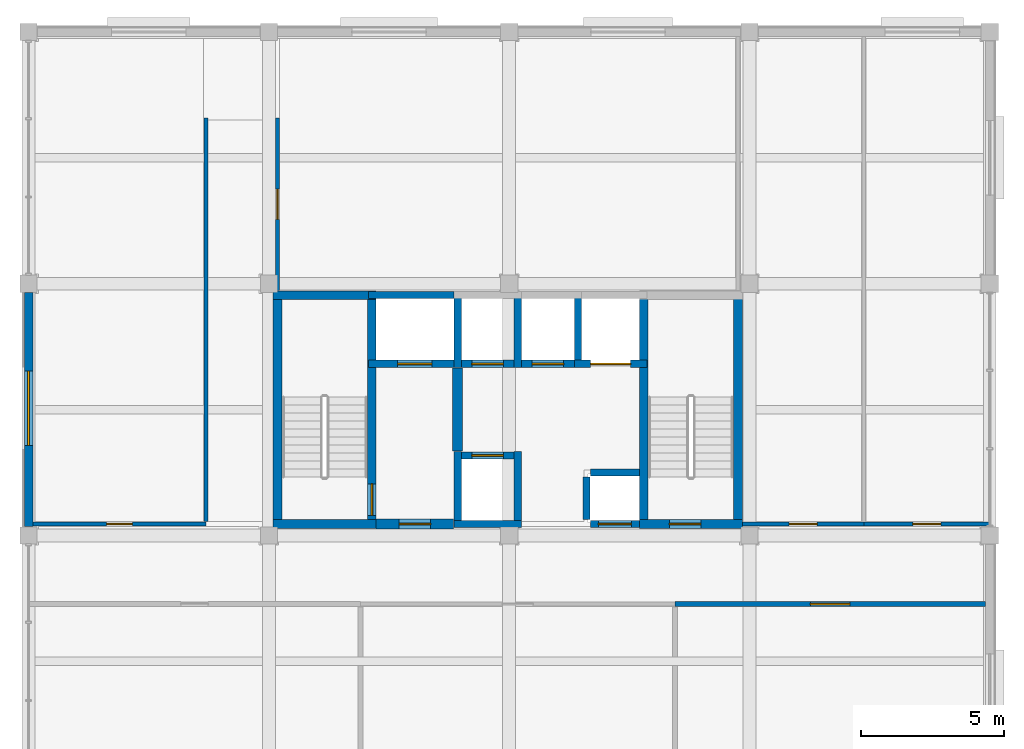
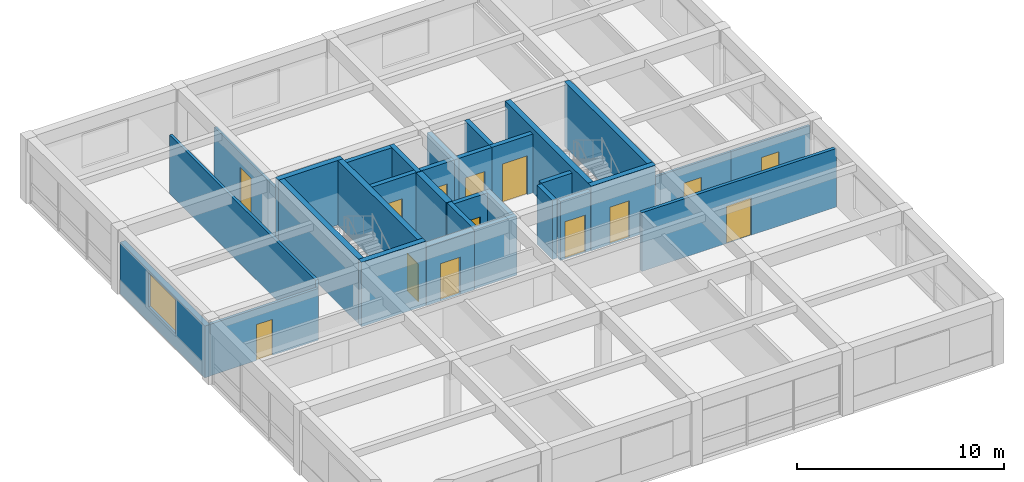
# One storey, part 7 of 12: 31 walls, 14 doors, 1 window, 15 openings.
"""IFC4 building model written with IfcOpenShell, lengths in metres."""

from ifc_helpers import new_model, si_unit, direction, frame, frame_2d, origin, place, context, subcontext, project, spatial, rectangle, extrude, material, layer, layer_set, type_object, element, fill, save


model = new_model("IFC4")

# Units and contexts
model_context = context("Model", 3, precision=1e-05, world=origin(), true_north=direction((0.0, 1.0)))
body_context = subcontext(model_context, "Body", "Model", "MODEL_VIEW")
ifc_project = project(units=[si_unit("LENGTHUNIT", "METRE"), si_unit("AREAUNIT", "SQUARE_METRE"), si_unit("VOLUMEUNIT", "CUBIC_METRE"), si_unit("PLANEANGLEUNIT", "RADIAN"), si_unit("MASSUNIT", "GRAM", prefix="KILO")], contexts=[model_context])

# Site, building, storey
site_placement = place(None, origin())
site = spatial("IfcSite", under=ifc_project, at=site_placement, CompositionType="ELEMENT")
building_placement = place(site_placement, origin())
building = spatial("IfcBuilding", under=site, at=building_placement, Name="Kemercrest Conservatory and Botanical Centre", CompositionType="ELEMENT")
storey_placement = place(building_placement, frame((0.0, 0.0, 56.0)))
storey = spatial("IfcBuildingStorey", under=building, at=storey_placement, Name="L14", CompositionType="ELEMENT", Elevation=56.0)

# Wall
ifc_material_1 = material(Name="Concrete C50/60", Category="concrete")
ifc_layer_1 = layer(ifc_material_1, 0.35009765625)
ifc_layer_set_1 = layer_set([ifc_layer_1], Name="Concrete C50/60")
wall_type_1 = type_object("IfcWallType", Name="CW-CORE", PredefinedType="SHEAR", material=ifc_layer_set_1)
wall_1_placement = place(storey_placement, frame((157.39990234375, 107.75, 0.0), z_axis=(0.0, 0.0, 1.0), x_axis=(0.0, 1.0, 0.0)))
element("IfcWall", 1, at=wall_1_placement, inside=storey, type_object=wall_type_1, Name="Firefighting lift lobby 2-hour separation shear wall", PredefinedType="SHEAR", context=body_context, shape_type="SweptSolid", body=[
    extrude(rectangle(XDim=2.89990234375, YDim=0.35009765625, at=frame_2d((1.449951171875, 0.0))), origin(), (0.0, 0.0, 1.0), 3.47998046875),
])

# Wall, opening, door
wall_2_placement = place(storey_placement, frame((154.550048828125, 105.199951171875, 0.0), z_axis=(0.0, 0.0, 1.0), x_axis=(1.0, 0.0, 0.0)))
wall_2 = element("IfcWall", 2, at=wall_2_placement, inside=storey, type_object=wall_type_1, Name="Firefighting lift lobby south shear wall", PredefinedType="SHEAR", context=body_context, shape_type="SweptSolid", body=[
    extrude(rectangle(XDim=2.699951171875, YDim=0.35009765625, at=frame_2d((1.35009765625, 0.0))), origin(), (0.0, 0.0, 1.0), 3.47998046875),
])
opening_1_placement = place(wall_2_placement, frame((0.800048828125, 0.0, 0.0)))
opening_1 = element("IfcOpeningElement", 3, at=opening_1_placement, cuts=wall_2, Name="Opening D099", PredefinedType="OPENING", context=body_context, shape_type="SweptSolid", body=[
    extrude(rectangle(XDim=1.10009765625, YDim=2.199951171875, at=frame_2d((0.550048828125, 1.10009765625))), frame((0.0, 0.18505859375, 0.0), z_axis=(0.0, -1.0, 0.0), x_axis=(1.0, 0.0, 0.0)), (0.0, 0.0, 1.0), 0.3701171875),
])
ifc_material_2 = material(Name="Powder-coated galvanized steel and fire-rated vision glass", Category="steel")
door_type_1 = type_object("IfcDoorType", Name="DT-FD90", OperationType="NOTDEFINED", PredefinedType="DOOR", material=ifc_material_2)
door_1_placement = place(opening_1_placement, origin())
door_1 = element("IfcDoor", 4, at=door_1_placement, inside=storey, type_object=door_type_1, Name="Firefighting lift lobby corridor fire door D099", OperationType="SINGLE_SWING_LEFT", OverallHeight=2.199951171875, OverallWidth=1.10009765625, PredefinedType="DOOR", context=body_context, shape_type="SweptSolid", body=[
    extrude(rectangle(XDim=1.10009765625, YDim=2.199951171875, at=frame_2d((0.550048828125, 1.10009765625))), frame((0.0, 0.02490234375, 0.0), z_axis=(0.0, -1.0, 0.0), x_axis=(1.0, 0.0, 0.0)), (0.0, 0.0, 1.0), 0.050048828125),
])
fill(opening_1, door_1)

# Walls
ifc_layer_2 = layer(ifc_material_1, 0.300048828125)
ifc_layer_set_2 = layer_set([ifc_layer_2], Name="Concrete C50/60")
wall_type_2 = type_object("IfcWallType", Name="CW-STAIR", PredefinedType="SHEAR", material=ifc_layer_set_2)
for number, where, z_axis, x_axis, name in (
    (5, (150.949951171875, 105.199951171875, 0.0), (0.0, 0.0, 1.0), (1.0, 0.0, 0.0), "Stair core ST-V4A shear wall S"),
    (6, (150.949951171875, 113.199951171875, 0.0), (0.0, 0.0, 1.0), (1.0, 0.0, 0.0), "Stair core ST-V4A shear wall N"),
):
    element("IfcWall", number, at=place(storey_placement, frame(where, z_axis=z_axis, x_axis=x_axis)), inside=storey, type_object=wall_type_2, Name=name, PredefinedType="SHEAR", context=body_context, shape_type="SweptSolid", body=[
        extrude(rectangle(XDim=3.60009765625, YDim=0.300048828125, at=frame_2d((1.800048828125, 0.0))), origin(), (0.0, 0.0, 1.0), 3.800048828125),
    ])
wall_3_placement = place(storey_placement, frame((151.10009765625, 105.050048828125, 0.0), z_axis=(0.0, 0.0, 1.0), x_axis=(0.0, 1.0, 0.0)))
element("IfcWall", 7, at=wall_3_placement, inside=storey, type_object=wall_type_2, Name="Stair core ST-V4A shear wall W", PredefinedType="SHEAR", context=body_context, shape_type="SweptSolid", body=[
    extrude(rectangle(XDim=8.300048828125, YDim=0.300048828125, at=frame_2d((4.14990234375, 0.0))), origin(), (0.0, 0.0, 1.0), 3.800048828125),
])

# Wall, opening, door
wall_4_placement = place(storey_placement, frame((154.39990234375, 105.050048828125, 0.0), z_axis=(0.0, 0.0, 1.0), x_axis=(0.0, 1.0, 0.0)))
wall_4 = element("IfcWall", 8, at=wall_4_placement, inside=storey, type_object=wall_type_2, Name="Stair core ST-V4A shear wall E", PredefinedType="SHEAR", context=body_context, shape_type="SweptSolid", body=[
    extrude(rectangle(XDim=8.300048828125, YDim=0.300048828125, at=frame_2d((4.14990234375, 0.0))), origin(), (0.0, 0.0, 1.0), 3.800048828125),
])
opening_2_placement = place(wall_4_placement, frame((0.449951171875, 0.0, 0.0)))
opening_2 = element("IfcOpeningElement", 9, at=opening_2_placement, cuts=wall_4, Name="Opening D040", PredefinedType="OPENING", context=body_context, shape_type="SweptSolid", body=[
    extrude(rectangle(XDim=1.10009765625, YDim=2.199951171875, at=frame_2d((0.550048828125, 1.10009765625))), frame((0.0, 0.16015625, 0.0), z_axis=(0.0, -1.0, 0.0), x_axis=(1.0, 0.0, 0.0)), (0.0, 0.0, 1.0), 0.320068359375),
])
door_2_placement = place(opening_2_placement, frame((1.10009765625, 0.0, 0.0), z_axis=(0.0, 0.0, 1.0), x_axis=(-1.0, 0.0, 0.0)))
door_2 = element("IfcDoor", 10, at=door_2_placement, inside=storey, type_object=door_type_1, Name="Exit stair ST-V4A fire door D040", OperationType="SINGLE_SWING_RIGHT", OverallHeight=2.199951171875, OverallWidth=1.10009765625, PredefinedType="DOOR", context=body_context, shape_type="SweptSolid", body=[
    extrude(rectangle(XDim=1.10009765625, YDim=2.199951171875, at=frame_2d((0.550048828125, 1.10009765625))), frame((0.0, 0.02490234375, 0.0), z_axis=(0.0, -1.0, 0.0), x_axis=(1.0, 0.0, 0.0)), (0.0, 0.0, 1.0), 0.050048828125),
])
fill(opening_2, door_2)

wall_5_placement = place(storey_placement, frame((163.75, 105.199951171875, 0.0), z_axis=(0.0, 0.0, 1.0), x_axis=(1.0, 0.0, 0.0)))
wall_5 = element("IfcWall", 11, at=wall_5_placement, inside=storey, type_object=wall_type_2, Name="Stair core ST-V4B shear wall S", PredefinedType="SHEAR", context=body_context, shape_type="SweptSolid", body=[
    extrude(rectangle(XDim=3.60009765625, YDim=0.300048828125, at=frame_2d((1.800048828125, 0.0))), origin(), (0.0, 0.0, 1.0), 3.800048828125),
])
opening_3_placement = place(wall_5_placement, frame((1.050048828125, 0.0, 0.0)))
opening_3 = element("IfcOpeningElement", 12, at=opening_3_placement, cuts=wall_5, Name="Opening D059", PredefinedType="OPENING", context=body_context, shape_type="SweptSolid", body=[
    extrude(rectangle(XDim=1.10009765625, YDim=2.199951171875, at=frame_2d((0.550048828125, 1.10009765625))), frame((0.0, 0.16015625, 0.0), z_axis=(0.0, -1.0, 0.0), x_axis=(1.0, 0.0, 0.0)), (0.0, 0.0, 1.0), 0.320068359375),
])
door_3_placement = place(opening_3_placement, origin())
door_3 = element("IfcDoor", 13, at=door_3_placement, inside=storey, type_object=door_type_1, Name="Exit stair ST-V4B fire door D059", OperationType="SINGLE_SWING_LEFT", OverallHeight=2.199951171875, OverallWidth=1.10009765625, PredefinedType="DOOR", context=body_context, shape_type="SweptSolid", body=[
    extrude(rectangle(XDim=1.10009765625, YDim=2.199951171875, at=frame_2d((0.550048828125, 1.10009765625))), frame((0.0, 0.02490234375, 0.0), z_axis=(0.0, -1.0, 0.0), x_axis=(1.0, 0.0, 0.0)), (0.0, 0.0, 1.0), 0.050048828125),
])
fill(opening_3, door_3)

# Walls
for number, where, z_axis, x_axis, name in (
    (14, (163.89990234375, 105.050048828125, 0.0), (0.0, 0.0, 1.0), (0.0, 1.0, 0.0), "Stair core ST-V4B shear wall W"),
    (15, (167.199951171875, 105.050048828125, 0.0), (0.0, 0.0, 1.0), (0.0, 1.0, 0.0), "Stair core ST-V4B shear wall E"),
):
    element("IfcWall", number, at=place(storey_placement, frame(where, z_axis=z_axis, x_axis=x_axis)), inside=storey, type_object=wall_type_2, Name=name, PredefinedType="SHEAR", context=body_context, shape_type="SweptSolid", body=[
        extrude(rectangle(XDim=8.300048828125, YDim=0.300048828125, at=frame_2d((4.14990234375, 0.0))), origin(), (0.0, 0.0, 1.0), 3.800048828125),
    ])

# Wall, opening, window
ifc_material_3 = material(Name="Precast concrete C40/50", Category="concrete")
ifc_layer_3 = layer(ifc_material_3, 0.300048828125)
ifc_layer_set_3 = layer_set([ifc_layer_3], Name="Precast concrete C40/50")
wall_type_3 = type_object("IfcWallType", Name="W-EXT300", PredefinedType="SOLIDWALL", material=ifc_layer_set_3)
wall_6_placement = place(storey_placement, frame((142.39990234375, 113.2900390625, 0.0), z_axis=(0.0, 0.0, 1.0), x_axis=(0.0, -1.0, 0.0)))
wall_6 = element("IfcWall", 16, at=wall_6_placement, inside=storey, type_object=wall_type_3, Name="Exterior almasik wall W-EXT300 (WAL:L14:EXT-341)", PredefinedType="SOLIDWALL", context=body_context, shape_type="SweptSolid", body=[
    extrude(rectangle(XDim=8.179931640625, YDim=0.300048828125, at=frame_2d((4.08984375, 0.0))), origin(), (0.0, 0.0, 1.0), 3.050048828125),
])
opening_4_placement = place(wall_6_placement, frame((2.7451171875, 0.0, 0.89990234375)))
opening_4 = element("IfcOpeningElement", 17, at=opening_4_placement, cuts=wall_6, Name="Opening WT-10", PredefinedType="OPENING", context=body_context, shape_type="SweptSolid", body=[
    extrude(rectangle(XDim=2.60009765625, YDim=2.0, at=frame_2d((1.300048828125, 1.0))), frame((0.0, 0.16015625, 0.0), z_axis=(0.0, -1.0, 0.0), x_axis=(1.0, 0.0, 0.0)), (0.0, 0.0, 1.0), 0.320068359375),
])
ifc_material_4 = material(Name="Thermally broken bronze-anodized aluminium and triple glazing", Category="aluminium")
window_type = type_object("IfcWindowType", Name="WT-10", PartitioningType="SINGLE_PANEL", PredefinedType="WINDOW", material=ifc_material_4)
window_placement = place(opening_4_placement, origin())
window = element("IfcWindow", 18, at=window_placement, inside=storey, type_object=window_type, Name="Exterior window WT-10 (WIN:L14:EXT-341)", OverallHeight=2.0, OverallWidth=2.60009765625, PartitioningType="SINGLE_PANEL", PredefinedType="WINDOW", context=body_context, shape_type="SweptSolid", body=[
    extrude(rectangle(XDim=2.60009765625, YDim=2.0, at=frame_2d((1.300048828125, 1.0))), frame((0.0, 0.030029296875, 0.0), z_axis=(0.0, -1.0, 0.0), x_axis=(1.0, 0.0, 0.0)), (0.0, 0.0, 1.0), 0.06005859375),
])
fill(opening_4, window)

# Wall, opening, door
ifc_material_5 = material(Name="Moisture-resistant gypsum board partition", Category="gypsum")
ifc_layer_4 = layer(ifc_material_5, 0.125)
ifc_layer_set_4 = layer_set([ifc_layer_4], Name="Moisture-resistant gypsum board partition")
wall_type_4 = type_object("IfcWallType", Name="W-PART125", PredefinedType="PARTITIONING", material=ifc_layer_set_4)
wall_7_placement = place(storey_placement, frame((167.35498046875, 105.199951171875, 0.0), z_axis=(0.0, 0.0, 1.0), x_axis=(1.0, 0.0, 0.0)))
wall_7 = element("IfcWall", 19, at=wall_7_placement, inside=storey, type_object=wall_type_4, Name="Interior partition W-PART125 #294", PredefinedType="PARTITIONING", context=body_context, shape_type="SweptSolid", body=[
    extrude(rectangle(XDim=4.2451171875, YDim=0.125, at=frame_2d((2.12255859375, 0.0))), origin(), (0.0, 0.0, 1.0), 3.044921875),
])
opening_5_placement = place(wall_7_placement, frame((1.632568359375, 0.0, 0.0)))
opening_5 = element("IfcOpeningElement", 20, at=opening_5_placement, cuts=wall_7, Name="Opening D274", PredefinedType="OPENING", context=body_context, shape_type="SweptSolid", body=[
    extrude(rectangle(XDim=0.97998046875, YDim=2.10009765625, at=frame_2d((0.489990234375, 1.050048828125))), frame((0.0, 0.072509765625, 0.0), z_axis=(0.0, -1.0, 0.0), x_axis=(1.0, 0.0, 0.0)), (0.0, 0.0, 1.0), 0.14501953125),
])
ifc_material_6 = material(Name="FSC solid-core white oak veneer and anodized aluminium frame", Category="aluminium")
door_type_2 = type_object("IfcDoorType", Name="DT-02", OperationType="NOTDEFINED", PredefinedType="DOOR", material=ifc_material_6)
door_4_placement = place(opening_5_placement, origin())
door_4 = element("IfcDoor", 21, at=door_4_placement, inside=storey, type_object=door_type_2, Name="Staff Washroom door D274", OperationType="SINGLE_SWING_RIGHT", OverallHeight=2.10009765625, OverallWidth=0.97998046875, PredefinedType="DOOR", context=body_context, shape_type="SweptSolid", body=[
    extrude(rectangle(XDim=0.97998046875, YDim=2.10009765625, at=frame_2d((0.489990234375, 1.050048828125))), frame((0.0, 0.02490234375, 0.0), z_axis=(0.0, -1.0, 0.0), x_axis=(1.0, 0.0, 0.0)), (0.0, 0.0, 1.0), 0.050048828125),
])
fill(opening_5, door_4)

wall_8_placement = place(storey_placement, frame((171.60009765625, 105.199951171875, 0.0), z_axis=(0.0, 0.0, 1.0), x_axis=(1.0, 0.0, 0.0)))
wall_8 = element("IfcWall", 22, at=wall_8_placement, inside=storey, type_object=wall_type_4, Name="Interior partition W-PART125 #295", PredefinedType="PARTITIONING", context=body_context, shape_type="SweptSolid", body=[
    extrude(rectangle(XDim=4.39990234375, YDim=0.125, at=frame_2d((2.199951171875, 0.0))), origin(), (0.0, 0.0, 1.0), 3.044921875),
])
opening_6_placement = place(wall_8_placement, frame((1.7099609375, 0.0, 0.0)))
opening_6 = element("IfcOpeningElement", 23, at=opening_6_placement, cuts=wall_8, Name="Opening D275", PredefinedType="OPENING", context=body_context, shape_type="SweptSolid", body=[
    extrude(rectangle(XDim=0.97998046875, YDim=2.10009765625, at=frame_2d((0.489990234375, 1.050048828125))), frame((0.0, 0.072509765625, 0.0), z_axis=(0.0, -1.0, 0.0), x_axis=(1.0, 0.0, 0.0)), (0.0, 0.0, 1.0), 0.14501953125),
])
door_5_placement = place(opening_6_placement, origin())
door_5 = element("IfcDoor", 24, at=door_5_placement, inside=storey, type_object=door_type_2, Name="Accessible Washroom door D275", OperationType="SINGLE_SWING_LEFT", OverallHeight=2.10009765625, OverallWidth=0.97998046875, PredefinedType="DOOR", context=body_context, shape_type="SweptSolid", body=[
    extrude(rectangle(XDim=0.97998046875, YDim=2.10009765625, at=frame_2d((0.489990234375, 1.050048828125))), frame((0.0, 0.02490234375, 0.0), z_axis=(0.0, -1.0, 0.0), x_axis=(1.0, 0.0, 0.0)), (0.0, 0.0, 1.0), 0.050048828125),
])
fill(opening_6, door_5)

ifc_material_7 = material(Name="Steel-stud gypsum board partition", Category="steel")
ifc_layer_5 = layer(ifc_material_7, 0.14990234375)
ifc_layer_set_5 = layer_set([ifc_layer_5], Name="Steel-stud gypsum board partition")
wall_type_5 = type_object("IfcWallType", Name="W-PART150", PredefinedType="PARTITIONING", material=ifc_layer_set_5)
wall_9_placement = place(storey_placement, frame((142.554931640625, 105.199951171875, 0.0), z_axis=(0.0, 0.0, 1.0), x_axis=(1.0, 0.0, 0.0)))
wall_9 = element("IfcWall", 25, at=wall_9_placement, inside=storey, type_object=wall_type_5, Name="Interior partition W-PART150 #293", PredefinedType="PARTITIONING", context=body_context, shape_type="SweptSolid", body=[
    extrude(rectangle(XDim=6.045166015625, YDim=0.14990234375, at=frame_2d((3.0224609375, 0.0))), origin(), (0.0, 0.0, 1.0), 3.044921875),
])
opening_7_placement = place(wall_9_placement, frame((2.572509765625, 0.0, 0.0)))
opening_7 = element("IfcOpeningElement", 26, at=opening_7_placement, cuts=wall_9, Name="Opening D273", PredefinedType="OPENING", context=body_context, shape_type="SweptSolid", body=[
    extrude(rectangle(XDim=0.89990234375, YDim=2.1201171875, at=frame_2d((0.449951171875, 1.06005859375))), frame((0.0, 0.0849609375, 0.0), z_axis=(0.0, -1.0, 0.0), x_axis=(1.0, 0.0, 0.0)), (0.0, 0.0, 1.0), 0.169921875),
])
door_type_3 = type_object("IfcDoorType", Name="DT-21", OperationType="NOTDEFINED", PredefinedType="DOOR", material=ifc_material_6)
door_6_placement = place(opening_7_placement, origin())
door_6 = element("IfcDoor", 27, at=door_6_placement, inside=storey, type_object=door_type_3, Name="Visiting Fellow Office door D273", OperationType="SINGLE_SWING_LEFT", OverallHeight=2.1201171875, OverallWidth=0.89990234375, PredefinedType="DOOR", context=body_context, shape_type="SweptSolid", body=[
    extrude(rectangle(XDim=0.89990234375, YDim=2.1201171875, at=frame_2d((0.449951171875, 1.06005859375))), frame((0.0, 0.02490234375, 0.0), z_axis=(0.0, -1.0, 0.0), x_axis=(1.0, 0.0, 0.0)), (0.0, 0.0, 1.0), 0.050048828125),
])
fill(opening_7, door_6)

# Wall
wall_10_placement = place(storey_placement, frame((148.60009765625, 105.280029296875, 0.0), z_axis=(0.0, 0.0, 1.0), x_axis=(0.0, 1.0, 0.0)))
element("IfcWall", 28, at=wall_10_placement, inside=storey, type_object=wall_type_5, Name="Interior partition W-PART150 #296", PredefinedType="PARTITIONING", context=body_context, shape_type="SweptSolid", body=[
    extrude(rectangle(XDim=14.119873046875, YDim=0.14990234375, at=frame_2d((7.06005859375, 0.0))), origin(), (0.0, 0.0, 1.0), 3.465087890625),
])

# Wall, opening, door
wall_11_placement = place(storey_placement, frame((151.10009765625, 113.35498046875, 0.0), z_axis=(0.0, 0.0, 1.0), x_axis=(0.0, 1.0, 0.0)))
wall_11 = element("IfcWall", 29, at=wall_11_placement, inside=storey, type_object=wall_type_5, Name="Interior partition W-PART150 #297", PredefinedType="PARTITIONING", context=body_context, shape_type="SweptSolid", body=[
    extrude(rectangle(XDim=6.044921875, YDim=0.14990234375, at=frame_2d((3.0224609375, 0.0))), origin(), (0.0, 0.0, 1.0), 3.044921875),
])
opening_8_placement = place(wall_11_placement, frame((2.492431640625, 0.0, 0.0)))
opening_8 = element("IfcOpeningElement", 30, at=opening_8_placement, cuts=wall_11, Name="Opening D276", PredefinedType="OPENING", context=body_context, shape_type="SweptSolid", body=[
    extrude(rectangle(XDim=1.06005859375, YDim=2.179931640625, at=frame_2d((0.530029296875, 1.08984375))), frame((0.0, 0.0849609375, 0.0), z_axis=(0.0, -1.0, 0.0), x_axis=(1.0, 0.0, 0.0)), (0.0, 0.0, 1.0), 0.169921875),
])
door_type_4 = type_object("IfcDoorType", Name="DT-24", OperationType="NOTDEFINED", PredefinedType="DOOR", material=ifc_material_6)
door_7_placement = place(opening_8_placement, origin())
door_7 = element("IfcDoor", 31, at=door_7_placement, inside=storey, type_object=door_type_4, Name="Botanical Archive Reading Studio door D276", OperationType="SINGLE_SWING_RIGHT", OverallHeight=2.179931640625, OverallWidth=1.06005859375, PredefinedType="DOOR", context=body_context, shape_type="SweptSolid", body=[
    extrude(rectangle(XDim=1.06005859375, YDim=2.179931640625, at=frame_2d((0.530029296875, 1.08984375))), frame((0.0, 0.02490234375, 0.0), z_axis=(0.0, -1.0, 0.0), x_axis=(1.0, 0.0, 0.0)), (0.0, 0.0, 1.0), 0.050048828125),
])
fill(opening_8, door_7)

ifc_material_8 = material(Name="Acoustic steel-stud gypsum board assembly", Category="steel")
ifc_layer_6 = layer(ifc_material_8, 0.179931640625)
ifc_layer_set_6 = layer_set([ifc_layer_6], Name="Acoustic steel-stud gypsum board assembly")
wall_type_6 = type_object("IfcWallType", Name="W-PART180", PredefinedType="PARTITIONING", material=ifc_layer_set_6)
wall_12_placement = place(storey_placement, frame((165.0, 102.39990234375, 0.0), z_axis=(0.0, 0.0, 1.0), x_axis=(1.0, 0.0, 0.0)))
wall_12 = element("IfcWall", 32, at=wall_12_placement, inside=storey, type_object=wall_type_6, Name="Interior partition W-PART180 #292", PredefinedType="PARTITIONING", context=body_context, shape_type="SweptSolid", body=[
    extrude(rectangle(XDim=10.844970703125, YDim=0.179931640625, at=frame_2d((5.42236328125, 0.0))), origin(), (0.0, 0.0, 1.0), 3.465087890625),
])
opening_9_placement = place(wall_12_placement, frame((4.732421875, 0.0, 0.0)))
opening_9 = element("IfcOpeningElement", 33, at=opening_9_placement, cuts=wall_12, Name="Opening D272", PredefinedType="OPENING", context=body_context, shape_type="SweptSolid", body=[
    extrude(rectangle(XDim=1.3798828125, YDim=2.199951171875, at=frame_2d((0.68994140625, 1.10009765625))), frame((0.0, 0.10009765625, 0.0), z_axis=(0.0, -1.0, 0.0), x_axis=(1.0, 0.0, 0.0)), (0.0, 0.0, 1.0), 0.199951171875),
])
door_type_5 = type_object("IfcDoorType", Name="DT-08", OperationType="DOUBLE_DOOR_SINGLE_SWING", PredefinedType="DOOR", material=ifc_material_6)
door_8_placement = place(opening_9_placement, origin())
door_8 = element("IfcDoor", 34, at=door_8_placement, inside=storey, type_object=door_type_5, Name="GIS Mapping Laboratory door D272", OperationType="DOUBLE_DOOR_SINGLE_SWING", OverallHeight=2.199951171875, OverallWidth=1.3798828125, PredefinedType="DOOR", context=body_context, shape_type="SweptSolid", body=[
    extrude(rectangle(XDim=1.3798828125, YDim=2.199951171875, at=frame_2d((0.68994140625, 1.10009765625))), frame((0.0, 0.02490234375, 0.0), z_axis=(0.0, -1.0, 0.0), x_axis=(1.0, 0.0, 0.0)), (0.0, 0.0, 1.0), 0.050048828125),
])
fill(opening_9, door_8)

ifc_material_9 = material(Name="Concrete C40/50", Category="concrete")
ifc_layer_7 = layer(ifc_material_9, 0.25)
ifc_layer_set_7 = layer_set([ifc_layer_7], Name="Concrete C40/50")
wall_type_7 = type_object("IfcWallType", Name="W-SHFT250", PredefinedType="SOLIDWALL", material=ifc_layer_set_7)
wall_13_placement = place(storey_placement, frame((154.27490234375, 110.800048828125, 0.0), z_axis=(0.0, 0.0, 1.0), x_axis=(1.0, 0.0, 0.0)))
wall_13 = element("IfcWall", 35, at=wall_13_placement, inside=storey, type_object=wall_type_7, Name="Elevator LF-FF1 shaft wall south", PredefinedType="SOLIDWALL", context=body_context, shape_type="SweptSolid", body=[
    extrude(rectangle(XDim=3.25, YDim=0.25, at=frame_2d((1.625, 0.0))), origin(), (0.0, 0.0, 1.0), 3.47998046875),
])
opening_10_placement = place(wall_13_placement, frame((1.02490234375, 0.0, 0.0)))
opening_10 = element("IfcOpeningElement", 36, at=opening_10_placement, cuts=wall_13, Name="Opening LD-016", PredefinedType="OPENING", context=body_context, shape_type="SweptSolid", body=[
    extrude(rectangle(XDim=1.199951171875, YDim=2.199951171875, at=frame_2d((0.60009765625, 1.10009765625))), frame((0.0, 0.135009765625, 0.0), z_axis=(0.0, -1.0, 0.0), x_axis=(1.0, 0.0, 0.0)), (0.0, 0.0, 1.0), 0.27001953125),
])
door_type_6 = type_object("IfcDoorType", Name="DT-LD02", OperationType="SLIDING_TO_LEFT", PredefinedType="DOOR", material=ifc_material_2)
door_9_placement = place(opening_10_placement, origin())
door_9 = element("IfcDoor", 37, at=door_9_placement, inside=storey, type_object=door_type_6, Name="Elevator LF-FF1 sliding landing door LD-016", OperationType="SLIDING_TO_LEFT", OverallHeight=2.199951171875, OverallWidth=1.199951171875, PredefinedType="DOOR", context=body_context, shape_type="SweptSolid", body=[
    extrude(rectangle(XDim=1.199951171875, YDim=2.199951171875, at=frame_2d((0.60009765625, 1.10009765625))), frame((0.0, 0.02490234375, 0.0), z_axis=(0.0, -1.0, 0.0), x_axis=(1.0, 0.0, 0.0)), (0.0, 0.0, 1.0), 0.050048828125),
])
fill(opening_10, door_9)

# Walls
wall_14_placement = place(storey_placement, frame((154.27490234375, 113.199951171875, 0.0), z_axis=(0.0, 0.0, 1.0), x_axis=(1.0, 0.0, 0.0)))
element("IfcWall", 38, at=wall_14_placement, inside=storey, type_object=wall_type_7, Name="Elevator LF-FF1 shaft wall north", PredefinedType="SOLIDWALL", context=body_context, shape_type="SweptSolid", body=[
    extrude(rectangle(XDim=3.25, YDim=0.25, at=frame_2d((1.625, 0.0))), origin(), (0.0, 0.0, 1.0), 3.47998046875),
])
wall_15_placement = place(storey_placement, frame((157.39990234375, 110.675048828125, 0.0), z_axis=(0.0, 0.0, 1.0), x_axis=(0.0, 1.0, 0.0)))
element("IfcWall", 39, at=wall_15_placement, inside=storey, type_object=wall_type_7, Name="Elevator LF-FF1 shaft wall east", PredefinedType="SOLIDWALL", context=body_context, shape_type="SweptSolid", body=[
    extrude(rectangle(XDim=2.64990234375, YDim=0.25, at=frame_2d((1.324951171875, 0.0))), origin(), (0.0, 0.0, 1.0), 3.47998046875),
])

# Wall, opening, door
wall_16_placement = place(storey_placement, frame((157.27490234375, 110.800048828125, 0.0), z_axis=(0.0, 0.0, 1.0), x_axis=(1.0, 0.0, 0.0)))
wall_16 = element("IfcWall", 40, at=wall_16_placement, inside=storey, type_object=wall_type_7, Name="Elevator LF-P1 shaft wall south", PredefinedType="SOLIDWALL", context=body_context, shape_type="SweptSolid", body=[
    extrude(rectangle(XDim=2.35009765625, YDim=0.25, at=frame_2d((1.175048828125, 0.0))), origin(), (0.0, 0.0, 1.0), 3.47998046875),
])
opening_11_placement = place(wall_16_placement, frame((0.625, 0.0, 0.0)))
opening_11 = element("IfcOpeningElement", 41, at=opening_11_placement, cuts=wall_16, Name="Opening LD-035", PredefinedType="OPENING", context=body_context, shape_type="SweptSolid", body=[
    extrude(rectangle(XDim=1.10009765625, YDim=2.199951171875, at=frame_2d((0.550048828125, 1.10009765625))), frame((0.0, 0.135009765625, 0.0), z_axis=(0.0, -1.0, 0.0), x_axis=(1.0, 0.0, 0.0)), (0.0, 0.0, 1.0), 0.27001953125),
])
door_type_7 = type_object("IfcDoorType", Name="DT-LD01", OperationType="SLIDING_TO_LEFT", PredefinedType="DOOR", material=ifc_material_2)
door_10_placement = place(opening_11_placement, origin())
door_10 = element("IfcDoor", 42, at=door_10_placement, inside=storey, type_object=door_type_7, Name="Elevator LF-P1 sliding landing door LD-035", OperationType="SLIDING_TO_LEFT", OverallHeight=2.199951171875, OverallWidth=1.10009765625, PredefinedType="DOOR", context=body_context, shape_type="SweptSolid", body=[
    extrude(rectangle(XDim=1.10009765625, YDim=2.199951171875, at=frame_2d((0.550048828125, 1.10009765625))), frame((0.0, 0.02490234375, 0.0), z_axis=(0.0, -1.0, 0.0), x_axis=(1.0, 0.0, 0.0)), (0.0, 0.0, 1.0), 0.050048828125),
])
fill(opening_11, door_10)

# Wall
wall_17_placement = place(storey_placement, frame((159.5, 110.675048828125, 0.0), z_axis=(0.0, 0.0, 1.0), x_axis=(0.0, 1.0, 0.0)))
element("IfcWall", 43, at=wall_17_placement, inside=storey, type_object=wall_type_7, Name="Elevator LF-P1 shaft wall east", PredefinedType="SOLIDWALL", context=body_context, shape_type="SweptSolid", body=[
    extrude(rectangle(XDim=2.64990234375, YDim=0.25, at=frame_2d((1.324951171875, 0.0))), origin(), (0.0, 0.0, 1.0), 3.47998046875),
])

# Wall, opening, door
wall_18_placement = place(storey_placement, frame((159.375, 110.800048828125, 0.0), z_axis=(0.0, 0.0, 1.0), x_axis=(1.0, 0.0, 0.0)))
wall_18 = element("IfcWall", 44, at=wall_18_placement, inside=storey, type_object=wall_type_7, Name="Elevator LF-P2 shaft wall south", PredefinedType="SOLIDWALL", context=body_context, shape_type="SweptSolid", body=[
    extrude(rectangle(XDim=2.35009765625, YDim=0.25, at=frame_2d((1.175048828125, 0.0))), origin(), (0.0, 0.0, 1.0), 3.47998046875),
])
opening_12_placement = place(wall_18_placement, frame((0.625, 0.0, 0.0)))
opening_12 = element("IfcOpeningElement", 45, at=opening_12_placement, cuts=wall_18, Name="Opening LD-054", PredefinedType="OPENING", context=body_context, shape_type="SweptSolid", body=[
    extrude(rectangle(XDim=1.10009765625, YDim=2.199951171875, at=frame_2d((0.550048828125, 1.10009765625))), frame((0.0, 0.135009765625, 0.0), z_axis=(0.0, -1.0, 0.0), x_axis=(1.0, 0.0, 0.0)), (0.0, 0.0, 1.0), 0.27001953125),
])
door_11_placement = place(opening_12_placement, origin())
door_11 = element("IfcDoor", 46, at=door_11_placement, inside=storey, type_object=door_type_7, Name="Elevator LF-P2 sliding landing door LD-054", OperationType="SLIDING_TO_LEFT", OverallHeight=2.199951171875, OverallWidth=1.10009765625, PredefinedType="DOOR", context=body_context, shape_type="SweptSolid", body=[
    extrude(rectangle(XDim=1.10009765625, YDim=2.199951171875, at=frame_2d((0.550048828125, 1.10009765625))), frame((0.0, 0.02490234375, 0.0), z_axis=(0.0, -1.0, 0.0), x_axis=(1.0, 0.0, 0.0)), (0.0, 0.0, 1.0), 0.050048828125),
])
fill(opening_12, door_11)

# Walls
wall_19_placement = place(storey_placement, frame((161.60009765625, 110.675048828125, 0.0), z_axis=(0.0, 0.0, 1.0), x_axis=(0.0, 1.0, 0.0)))
element("IfcWall", 47, at=wall_19_placement, inside=storey, type_object=wall_type_7, Name="Elevator LF-P2 shaft wall east", PredefinedType="SOLIDWALL", context=body_context, shape_type="SweptSolid", body=[
    extrude(rectangle(XDim=2.64990234375, YDim=0.25, at=frame_2d((1.324951171875, 0.0))), origin(), (0.0, 0.0, 1.0), 3.47998046875),
])
wall_20_placement = place(storey_placement, frame((157.27490234375, 105.199951171875, 0.0), z_axis=(0.0, 0.0, 1.0), x_axis=(1.0, 0.0, 0.0)))
element("IfcWall", 48, at=wall_20_placement, inside=storey, type_object=wall_type_7, Name="Elevator LF-P3 shaft wall south", PredefinedType="SOLIDWALL", context=body_context, shape_type="SweptSolid", body=[
    extrude(rectangle(XDim=2.35009765625, YDim=0.25, at=frame_2d((1.175048828125, 0.0))), origin(), (0.0, 0.0, 1.0), 3.47998046875),
])

# Wall, opening, door
wall_21_placement = place(storey_placement, frame((157.27490234375, 107.60009765625, 0.0), z_axis=(0.0, 0.0, 1.0), x_axis=(1.0, 0.0, 0.0)))
wall_21 = element("IfcWall", 49, at=wall_21_placement, inside=storey, type_object=wall_type_7, Name="Elevator LF-P3 shaft wall north", PredefinedType="SOLIDWALL", context=body_context, shape_type="SweptSolid", body=[
    extrude(rectangle(XDim=2.35009765625, YDim=0.25, at=frame_2d((1.175048828125, 0.0))), origin(), (0.0, 0.0, 1.0), 3.47998046875),
])
opening_13_placement = place(wall_21_placement, frame((0.625, 0.0, 0.0)))
opening_13 = element("IfcOpeningElement", 50, at=opening_13_placement, cuts=wall_21, Name="Opening LD-072", PredefinedType="OPENING", context=body_context, shape_type="SweptSolid", body=[
    extrude(rectangle(XDim=1.10009765625, YDim=2.199951171875, at=frame_2d((0.550048828125, 1.10009765625))), frame((0.0, 0.135009765625, 0.0), z_axis=(0.0, -1.0, 0.0), x_axis=(1.0, 0.0, 0.0)), (0.0, 0.0, 1.0), 0.27001953125),
])
door_12_placement = place(opening_13_placement, origin())
door_12 = element("IfcDoor", 51, at=door_12_placement, inside=storey, type_object=door_type_7, Name="Elevator LF-P3 sliding landing door LD-072", OperationType="SLIDING_TO_LEFT", OverallHeight=2.199951171875, OverallWidth=1.10009765625, PredefinedType="DOOR", context=body_context, shape_type="SweptSolid", body=[
    extrude(rectangle(XDim=1.10009765625, YDim=2.199951171875, at=frame_2d((0.550048828125, 1.10009765625))), frame((0.0, 0.02490234375, 0.0), z_axis=(0.0, -1.0, 0.0), x_axis=(1.0, 0.0, 0.0)), (0.0, 0.0, 1.0), 0.050048828125),
])
fill(opening_13, door_12)

# Walls
for number, where, z_axis, x_axis, name in (
    (52, (157.39990234375, 105.074951171875, 0.0), (0.0, 0.0, 1.0), (0.0, 1.0, 0.0), "Elevator LF-P3 shaft wall west"),
    (53, (159.5, 105.074951171875, 0.0), (0.0, 0.0, 1.0), (0.0, 1.0, 0.0), "Elevator LF-P3 shaft wall east"),
):
    element("IfcWall", number, at=place(storey_placement, frame(where, z_axis=z_axis, x_axis=x_axis)), inside=storey, type_object=wall_type_7, Name=name, PredefinedType="SOLIDWALL", context=body_context, shape_type="SweptSolid", body=[
        extrude(rectangle(XDim=2.650146484375, YDim=0.25, at=frame_2d((1.3251953125, 0.0))), origin(), (0.0, 0.0, 1.0), 3.47998046875),
    ])

# Wall, opening, door
wall_22_placement = place(storey_placement, frame((161.47509765625, 110.800048828125, 0.0), z_axis=(0.0, 0.0, 1.0), x_axis=(1.0, 0.0, 0.0)))
wall_22 = element("IfcWall", 54, at=wall_22_placement, inside=storey, type_object=wall_type_7, Name="Elevator LF-G1 shaft wall south", PredefinedType="SOLIDWALL", context=body_context, shape_type="SweptSolid", body=[
    extrude(rectangle(XDim=2.5498046875, YDim=0.25, at=frame_2d((1.27490234375, 0.0))), origin(), (0.0, 0.0, 1.0), 3.47998046875),
])
opening_14_placement = place(wall_22_placement, frame((0.574951171875, 0.0, 0.0)))
opening_14 = element("IfcOpeningElement", 55, at=opening_14_placement, cuts=wall_22, Name="Opening LD-090", PredefinedType="OPENING", context=body_context, shape_type="SweptSolid", body=[
    extrude(rectangle(XDim=1.39990234375, YDim=2.300048828125, at=frame_2d((0.699951171875, 1.14990234375))), frame((0.0, 0.135009765625, 0.0), z_axis=(0.0, -1.0, 0.0), x_axis=(1.0, 0.0, 0.0)), (0.0, 0.0, 1.0), 0.27001953125),
])
door_type_8 = type_object("IfcDoorType", Name="DT-LD03", OperationType="SLIDING_TO_LEFT", PredefinedType="DOOR", material=ifc_material_2)
door_13_placement = place(opening_14_placement, origin())
door_13 = element("IfcDoor", 56, at=door_13_placement, inside=storey, type_object=door_type_8, Name="Elevator LF-G1 sliding landing door LD-090", OperationType="SLIDING_TO_LEFT", OverallHeight=2.300048828125, OverallWidth=1.39990234375, PredefinedType="DOOR", context=body_context, shape_type="SweptSolid", body=[
    extrude(rectangle(XDim=1.39990234375, YDim=2.300048828125, at=frame_2d((0.699951171875, 1.14990234375))), frame((0.0, 0.02490234375, 0.0), z_axis=(0.0, -1.0, 0.0), x_axis=(1.0, 0.0, 0.0)), (0.0, 0.0, 1.0), 0.050048828125),
])
fill(opening_14, door_13)

# Walls
wall_23_placement = place(storey_placement, frame((161.89990234375, 105.35009765625, 0.0), z_axis=(0.0, 0.0, 1.0), x_axis=(0.0, 1.0, 0.0)))
element("IfcWall", 57, at=wall_23_placement, inside=storey, type_object=wall_type_7, Name="Core service riser shaft wall W", PredefinedType="SOLIDWALL", context=body_context, shape_type="SweptSolid", body=[
    extrude(rectangle(XDim=1.5, YDim=0.25, at=frame_2d((0.75, 0.0))), origin(), (0.0, 0.0, 1.0), 3.47998046875),
])
wall_24_placement = place(storey_placement, frame((162.050048828125, 107.0, 0.0), z_axis=(0.0, 0.0, 1.0), x_axis=(1.0, 0.0, 0.0)))
element("IfcWall", 58, at=wall_24_placement, inside=storey, type_object=wall_type_7, Name="Core service riser shaft wall N", PredefinedType="SOLIDWALL", context=body_context, shape_type="SweptSolid", body=[
    extrude(rectangle(XDim=1.699951171875, YDim=0.25, at=frame_2d((0.85009765625, 0.0))), origin(), (0.0, 0.0, 1.0), 3.47998046875),
])

# Wall, opening, door
wall_25_placement = place(storey_placement, frame((162.050048828125, 105.199951171875, 0.0), z_axis=(0.0, 0.0, 1.0), x_axis=(1.0, 0.0, 0.0)))
wall_25 = element("IfcWall", 59, at=wall_25_placement, inside=storey, type_object=wall_type_7, Name="Core service riser shaft wall S", PredefinedType="SOLIDWALL", context=body_context, shape_type="SweptSolid", body=[
    extrude(rectangle(XDim=1.699951171875, YDim=0.25, at=frame_2d((0.85009765625, 0.0))), origin(), (0.0, 0.0, 1.0), 3.47998046875),
])
opening_15_placement = place(wall_25_placement, frame((0.27001953125, 0.0, 0.0)))
opening_15 = element("IfcOpeningElement", 60, at=opening_15_placement, cuts=wall_25, Name="Opening D100", PredefinedType="OPENING", context=body_context, shape_type="SweptSolid", body=[
    extrude(rectangle(XDim=1.14990234375, YDim=2.199951171875, at=frame_2d((0.574951171875, 1.10009765625))), frame((0.0, 0.135009765625, 0.0), z_axis=(0.0, -1.0, 0.0), x_axis=(1.0, 0.0, 0.0)), (0.0, 0.0, 1.0), 0.27001953125),
])
door_type_9 = type_object("IfcDoorType", Name="DT-FD60", OperationType="NOTDEFINED", PredefinedType="DOOR", material=ifc_material_2)
door_14_placement = place(opening_15_placement, origin())
door_14 = element("IfcDoor", 61, at=door_14_placement, inside=storey, type_object=door_type_9, Name="Service riser access fire door D100", OperationType="SINGLE_SWING_RIGHT", OverallHeight=2.199951171875, OverallWidth=1.14990234375, PredefinedType="DOOR", context=body_context, shape_type="SweptSolid", body=[
    extrude(rectangle(XDim=1.14990234375, YDim=2.199951171875, at=frame_2d((0.574951171875, 1.10009765625))), frame((0.0, 0.02490234375, 0.0), z_axis=(0.0, -1.0, 0.0), x_axis=(1.0, 0.0, 0.0)), (0.0, 0.0, 1.0), 0.050048828125),
])
fill(opening_15, door_14)

save(model, "model.ifc")
